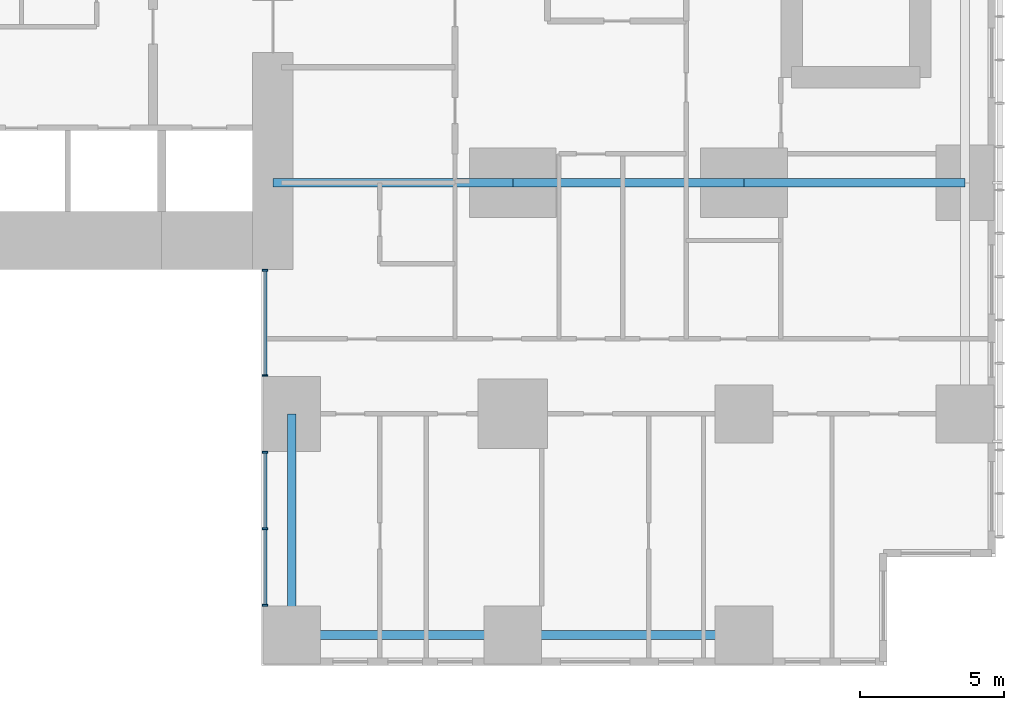
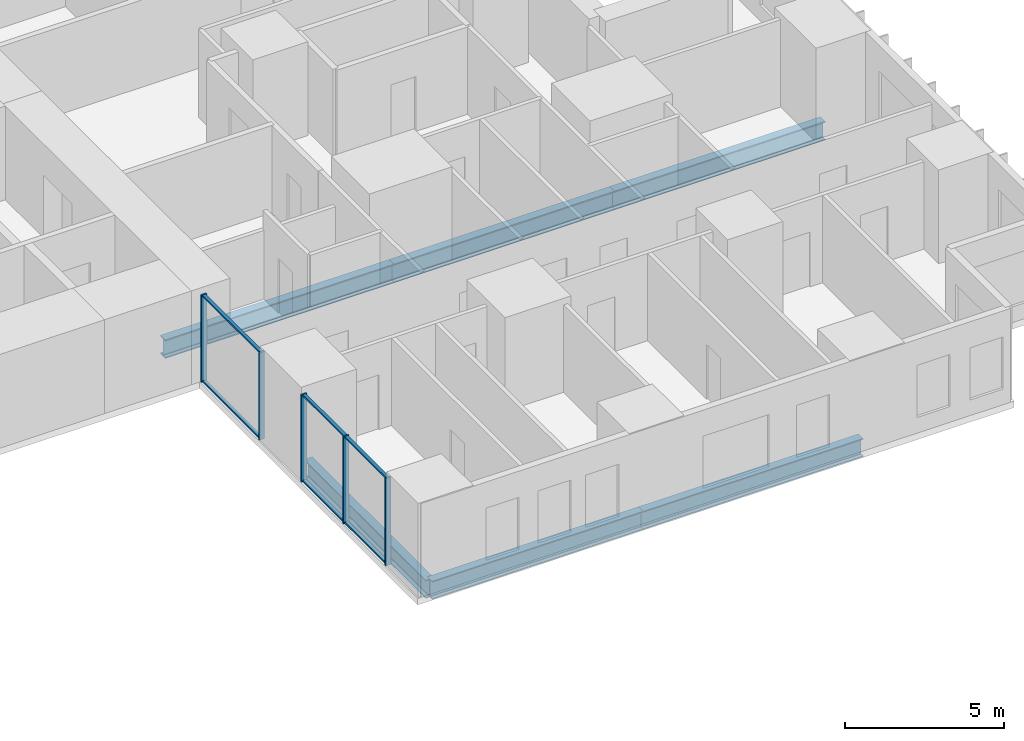
# One storey, part 3 of 20: 11 members, 6 beams, 2 elements without a shape of their own.
"""IFC4 building model written with IfcOpenShell, lengths in metres."""

from ifc_helpers import new_model, si_unit, direction, frame, origin, origin_2d, place, context, subcontext, project, spatial, rectangle, i_section, extrude, material, layer, layer_set, material_profile, profile_set, type_object, element, aggregate, save


model = new_model("IFC4")

# Units and contexts
model_context = context("Model", 3, precision=1e-05, world=origin(), true_north=direction((0.0, 1.0)))
body_context = subcontext(model_context, "Body", "Model", "MODEL_VIEW")
ifc_project = project(units=[si_unit("LENGTHUNIT", "METRE"), si_unit("AREAUNIT", "SQUARE_METRE"), si_unit("VOLUMEUNIT", "CUBIC_METRE"), si_unit("PLANEANGLEUNIT", "RADIAN"), si_unit("MASSUNIT", "GRAM", prefix="KILO")], contexts=[model_context])

# Site, building, storey
site_placement = place(None, origin())
site = spatial("IfcSite", under=ifc_project, at=site_placement, CompositionType="ELEMENT")
building_placement = place(site_placement, origin())
building = spatial("IfcBuilding", under=site, at=building_placement, Name="Cleftline Residences", CompositionType="ELEMENT")
storey_placement = place(building_placement, frame((0.0, 0.0, 80.0)))
storey = spatial("IfcBuildingStorey", under=building, at=storey_placement, Name="L20", CompositionType="ELEMENT", Elevation=80.0)

# Beams
ifc_material_1 = material(Name="Steel S355", Category="steel")
ifc_material_profile_1 = material_profile(ifc_material_1, i_section(OverallWidth=0.300048828125, OverallDepth=0.699951171875, WebThickness=0.01708984375, FlangeThickness=0.031982421875, FilletRadius=0.027099609375, at=origin_2d()))
ifc_profile_set_1 = profile_set([ifc_material_profile_1], Name="Steel S355")
beam_type_1 = type_object("IfcBeamType", Name="BEAM HEB 700", PredefinedType="BEAM", material=ifc_profile_set_1)
beam_1_placement = place(storey_placement, frame((58.0, 0.35009765625, -0.60009765625), z_axis=(-1.0, 0.0, 0.0), x_axis=(0.0, -1.0, 0.0)))
element("IfcBeam", 1, at=beam_1_placement, inside=storey, type_object=beam_type_1, Name="Edge beam", PredefinedType="BEAM", context=body_context, shape_type="SweptSolid", body=[
    extrude(i_section(OverallWidth=0.300048828125, OverallDepth=0.699951171875, WebThickness=0.01708984375, FlangeThickness=0.031982421875, FilletRadius=0.027099609375, at=origin_2d()), origin(), (0.0, 0.0, 1.0), 8.0),
])
for number, where, z_axis, x_axis, name in (
    (2, (50.0, 0.35009765625, -0.60009765625), (-1.0, 0.0, 0.0), (0.0, -1.0, 0.0), "Edge beam"),
    (3, (42.35009765625, 0.35009765625, -0.60009765625), (0.0, 1.0, 0.0), (-1.0, 0.0, 0.0), "Edge beam"),
):
    element("IfcBeam", number, at=place(storey_placement, frame(where, z_axis=z_axis, x_axis=x_axis)), inside=storey, type_object=beam_type_1, Name=name, PredefinedType="BEAM", context=body_context, shape_type="SweptSolid", body=[
        extrude(i_section(OverallWidth=0.300048828125, OverallDepth=0.699951171875, WebThickness=0.01708984375, FlangeThickness=0.031982421875, FilletRadius=0.027099609375, at=origin_2d()), origin(), (0.0, 0.0, 1.0), 7.64990234375),
    ])
ifc_material_2 = material(Name="Steel S355", Category="steel")
ifc_material_profile_2 = material_profile(ifc_material_2, i_section(OverallWidth=0.303955078125, OverallDepth=0.716064453125, WebThickness=0.02099609375, FlangeThickness=0.0400390625, FilletRadius=0.027099609375, at=origin_2d()))
ifc_profile_set_2 = profile_set([ifc_material_profile_2], Name="Steel S355")
beam_type_2 = type_object("IfcBeamType", Name="BEAM HEM 700", PredefinedType="BEAM", material=ifc_profile_set_2)
beam_2_placement = place(storey_placement, frame((65.64990234375, 16.0, -0.60791015625), z_axis=(-1.0, 0.0, 0.0), x_axis=(0.0, -1.0, 0.0)))
element("IfcBeam", 4, at=beam_2_placement, inside=storey, type_object=beam_type_2, Name="Band beam", PredefinedType="BEAM", context=body_context, shape_type="SweptSolid", body=[
    extrude(i_section(OverallWidth=0.303955078125, OverallDepth=0.716064453125, WebThickness=0.02099609375, FlangeThickness=0.0400390625, FilletRadius=0.027099609375, at=origin_2d()), origin(), (0.0, 0.0, 1.0), 7.64990234375),
])
beam_3_placement = place(storey_placement, frame((58.0, 16.0, -0.60791015625), z_axis=(-1.0, 0.0, 0.0), x_axis=(0.0, -1.0, 0.0)))
element("IfcBeam", 5, at=beam_3_placement, inside=storey, type_object=beam_type_2, Name="Band beam", PredefinedType="BEAM", context=body_context, shape_type="SweptSolid", body=[
    extrude(i_section(OverallWidth=0.303955078125, OverallDepth=0.716064453125, WebThickness=0.02099609375, FlangeThickness=0.0400390625, FilletRadius=0.027099609375, at=origin_2d()), origin(), (0.0, 0.0, 1.0), 8.0),
])
beam_4_placement = place(storey_placement, frame((50.0, 16.0, -0.60791015625), z_axis=(-1.0, 0.0, 0.0), x_axis=(0.0, -1.0, 0.0)))
element("IfcBeam", 6, at=beam_4_placement, inside=storey, type_object=beam_type_2, Name="Band beam", PredefinedType="BEAM", context=body_context, shape_type="SweptSolid", body=[
    extrude(i_section(OverallWidth=0.303955078125, OverallDepth=0.716064453125, WebThickness=0.02099609375, FlangeThickness=0.0400390625, FilletRadius=0.027099609375, at=origin_2d()), origin(), (0.0, 0.0, 1.0), 8.300048828125),
])

# Curtain wall, members
ifc_material_3 = material(Name="Aluminium framed curtain wall", Category="aluminium")
ifc_layer = layer(ifc_material_3, 0.199951171875)
ifc_layer_set = layer_set([ifc_layer], Name="CW1 CLEFT GLAZING")
curtain_wall_type = type_object("IfcCurtainWallType", Name="CW1 CLEFT GLAZING", PredefinedType="NOTDEFINED", material=ifc_layer_set)
curtain_wall_1_placement = place(storey_placement, origin())
curtain_wall_1 = element("IfcCurtainWall", 7, at=curtain_wall_1_placement, inside=storey, type_object=curtain_wall_type, Name="Curtain wall CW1", PredefinedType="NOTDEFINED")
ifc_material_4 = material(Name="Aluminium mullion", Category="aluminium")
ifc_material_profile_3 = material_profile(ifc_material_4, rectangle(XDim=0.199951171875, YDim=0.06005859375, at=origin_2d()))
ifc_profile_set_3 = profile_set([ifc_material_profile_3], Name="Aluminium mullion")
member_type_1 = type_object("IfcMemberType", Name="CW1 MULLION", PredefinedType="MULLION", material=ifc_profile_set_3)
member_1_placement = place(storey_placement, frame((41.425048828125, 12.969970703125, 0.0), z_axis=(0.0, 0.0, 1.0), x_axis=(1.0, 0.0, 0.0)))
member_1 = element("IfcMember", 8, at=member_1_placement, type_object=member_type_1, Name="CW1 mullion 1", PredefinedType="MULLION", context=body_context, shape_type="SweptSolid", body=[
    extrude(rectangle(XDim=0.199951171875, YDim=0.06005859375, at=origin_2d()), origin(), (0.0, 0.0, 1.0), 3.35009765625),
])
member_2_placement = place(storey_placement, frame((41.425048828125, 9.330078125, 0.0), z_axis=(0.0, 0.0, 1.0), x_axis=(1.0, 0.0, 0.0)))
member_2 = element("IfcMember", 9, at=member_2_placement, type_object=member_type_1, Name="CW1 mullion 2", PredefinedType="MULLION", context=body_context, shape_type="SweptSolid", body=[
    extrude(rectangle(XDim=0.199951171875, YDim=0.06005859375, at=origin_2d()), origin(), (0.0, 0.0, 1.0), 3.35009765625),
])

curtain_wall_2_placement = place(storey_placement, origin())
curtain_wall_2 = element("IfcCurtainWall", 10, at=curtain_wall_2_placement, inside=storey, type_object=curtain_wall_type, Name="Curtain wall CW1", PredefinedType="NOTDEFINED")
member_3_placement = place(storey_placement, frame((41.425048828125, 6.669921875, 0.0), z_axis=(0.0, 0.0, 1.0), x_axis=(1.0, 0.0, 0.0)))
member_3 = element("IfcMember", 11, at=member_3_placement, type_object=member_type_1, Name="CW1 mullion 1", PredefinedType="MULLION", context=body_context, shape_type="SweptSolid", body=[
    extrude(rectangle(XDim=0.199951171875, YDim=0.06005859375, at=origin_2d()), origin(), (0.0, 0.0, 1.0), 3.35009765625),
])
member_4_placement = place(storey_placement, frame((41.425048828125, 4.02490234375, 0.0), z_axis=(0.0, 0.0, 1.0), x_axis=(1.0, 0.0, 0.0)))
member_4 = element("IfcMember", 12, at=member_4_placement, type_object=member_type_1, Name="CW1 mullion 2", PredefinedType="MULLION", context=body_context, shape_type="SweptSolid", body=[
    extrude(rectangle(XDim=0.199951171875, YDim=0.06005859375, at=origin_2d()), origin(), (0.0, 0.0, 1.0), 3.35009765625),
])
member_5_placement = place(storey_placement, frame((41.425048828125, 1.3798828125, 0.0), z_axis=(0.0, 0.0, 1.0), x_axis=(1.0, 0.0, 0.0)))
member_5 = element("IfcMember", 13, at=member_5_placement, type_object=member_type_1, Name="CW1 mullion 3", PredefinedType="MULLION", context=body_context, shape_type="SweptSolid", body=[
    extrude(rectangle(XDim=0.199951171875, YDim=0.06005859375, at=origin_2d()), origin(), (0.0, 0.0, 1.0), 3.35009765625),
])

# Member
ifc_material_5 = material(Name="Aluminium transom", Category="aluminium")
ifc_material_profile_4 = material_profile(ifc_material_5, rectangle(XDim=0.1201171875, YDim=0.06005859375, at=origin_2d()))
ifc_profile_set_4 = profile_set([ifc_material_profile_4], Name="Aluminium transom")
member_type_2 = type_object("IfcMemberType", Name="CW1 TRANSOM", PredefinedType="USERDEFINED", material=ifc_profile_set_4)
member_6_placement = place(storey_placement, frame((41.425048828125, 12.93994140625, 0.030029296875), z_axis=(0.0, -1.0, 0.0), x_axis=(1.0, 0.0, 0.0)))
member_6 = element("IfcMember", 14, at=member_6_placement, type_object=member_type_2, Name="CW1 transom 1.1", ObjectType="TRANSOM", PredefinedType="USERDEFINED", context=body_context, shape_type="SweptSolid", body=[
    extrude(rectangle(XDim=0.1201171875, YDim=0.06005859375, at=origin_2d()), origin(), (0.0, 0.0, 1.0), 3.579833984375),
])

member_7_placement = place(storey_placement, frame((41.425048828125, 12.93994140625, 3.320068359375), z_axis=(0.0, -1.0, 0.0), x_axis=(1.0, 0.0, 0.0)))
member_7 = element("IfcMember", 15, at=member_7_placement, type_object=member_type_2, Name="CW1 transom 1.2", ObjectType="TRANSOM", PredefinedType="USERDEFINED", context=body_context, shape_type="SweptSolid", body=[
    extrude(rectangle(XDim=0.1201171875, YDim=0.06005859375, at=origin_2d()), origin(), (0.0, 0.0, 1.0), 3.579833984375),
])

aggregate(curtain_wall_1, [member_1, member_2, member_6, member_7])

member_8_placement = place(storey_placement, frame((41.425048828125, 6.639892578125, 0.030029296875), z_axis=(0.0, -1.0, 0.0), x_axis=(1.0, 0.0, 0.0)))
member_8 = element("IfcMember", 16, at=member_8_placement, type_object=member_type_2, Name="CW1 transom 1.1", ObjectType="TRANSOM", PredefinedType="USERDEFINED", context=body_context, shape_type="SweptSolid", body=[
    extrude(rectangle(XDim=0.1201171875, YDim=0.06005859375, at=origin_2d()), origin(), (0.0, 0.0, 1.0), 2.5849609375),
])

member_9_placement = place(storey_placement, frame((41.425048828125, 6.639892578125, 3.320068359375), z_axis=(0.0, -1.0, 0.0), x_axis=(1.0, 0.0, 0.0)))
member_9 = element("IfcMember", 17, at=member_9_placement, type_object=member_type_2, Name="CW1 transom 1.2", ObjectType="TRANSOM", PredefinedType="USERDEFINED", context=body_context, shape_type="SweptSolid", body=[
    extrude(rectangle(XDim=0.1201171875, YDim=0.06005859375, at=origin_2d()), origin(), (0.0, 0.0, 1.0), 2.5849609375),
])

member_10_placement = place(storey_placement, frame((41.425048828125, 3.9951171875, 0.030029296875), z_axis=(0.0, -1.0, 0.0), x_axis=(1.0, 0.0, 0.0)))
member_10 = element("IfcMember", 18, at=member_10_placement, type_object=member_type_2, Name="CW1 transom 2.1", ObjectType="TRANSOM", PredefinedType="USERDEFINED", context=body_context, shape_type="SweptSolid", body=[
    extrude(rectangle(XDim=0.1201171875, YDim=0.06005859375, at=origin_2d()), origin(), (0.0, 0.0, 1.0), 2.585205078125),
])

member_11_placement = place(storey_placement, frame((41.425048828125, 3.9951171875, 3.320068359375), z_axis=(0.0, -1.0, 0.0), x_axis=(1.0, 0.0, 0.0)))
member_11 = element("IfcMember", 19, at=member_11_placement, type_object=member_type_2, Name="CW1 transom 2.2", ObjectType="TRANSOM", PredefinedType="USERDEFINED", context=body_context, shape_type="SweptSolid", body=[
    extrude(rectangle(XDim=0.1201171875, YDim=0.06005859375, at=origin_2d()), origin(), (0.0, 0.0, 1.0), 2.585205078125),
])

aggregate(curtain_wall_2, [member_3, member_4, member_5, member_8, member_9, member_10, member_11])

save(model, "model.ifc")
